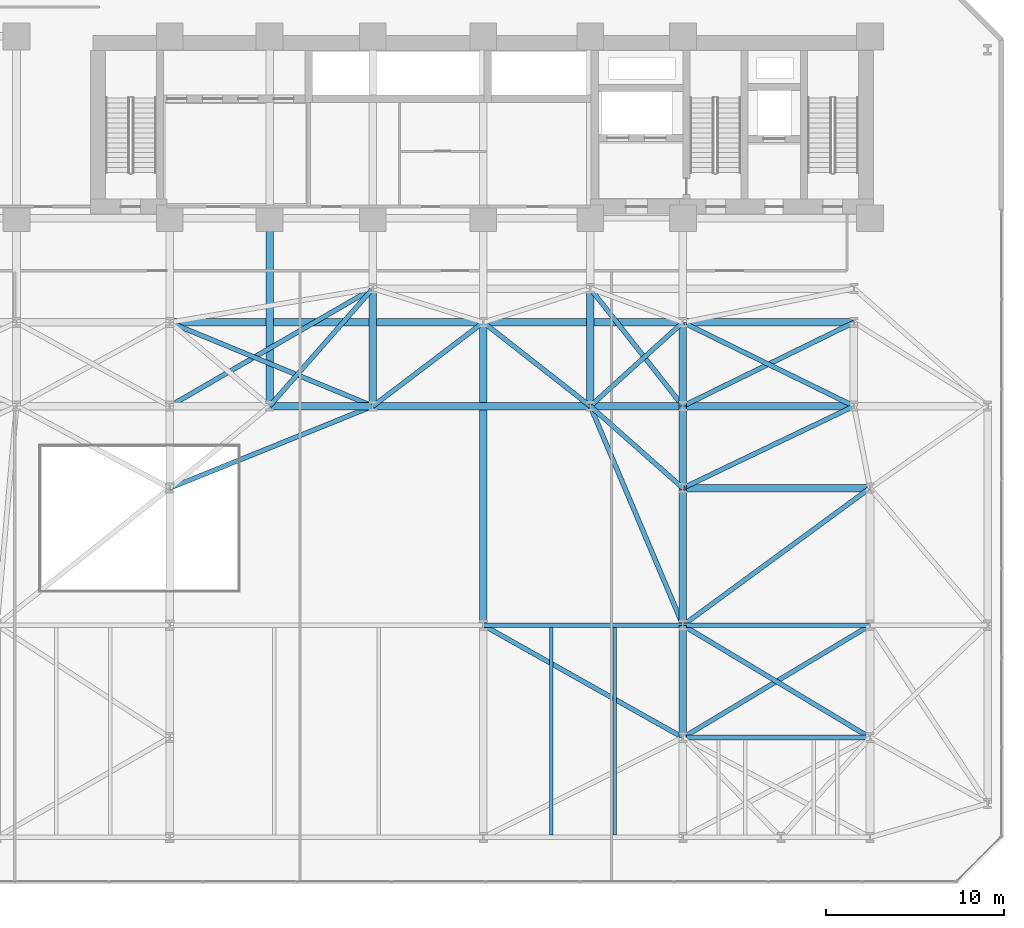
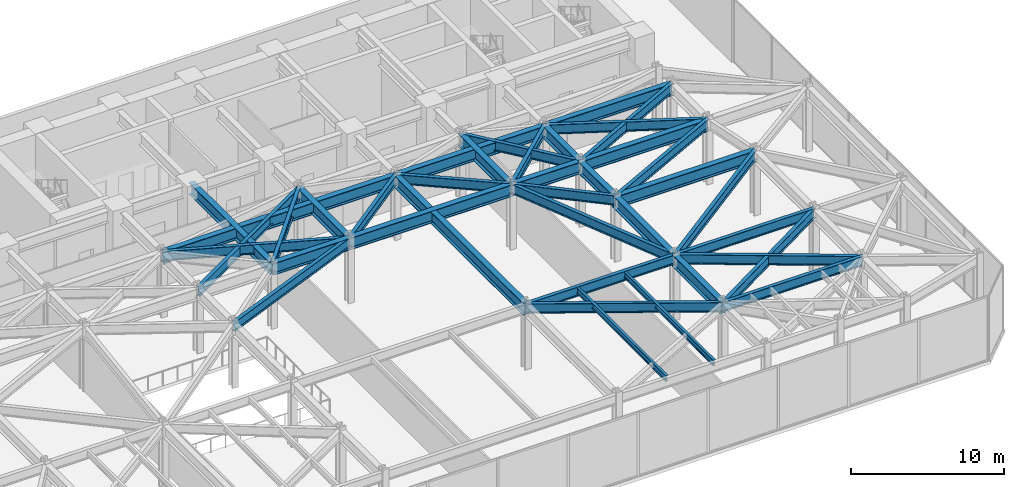
# One storey, part 18 of 29: 38 beams.
"""IFC4 building model written with IfcOpenShell, lengths in metres."""

from ifc_helpers import new_model, si_unit, direction, frame, origin, origin_2d, place, context, subcontext, project, spatial, i_section, extrude, material, material_profile, profile_set, type_object, element, save


model = new_model("IFC4")

# Units and contexts
model_context = context("Model", 3, precision=1e-05, world=origin(), true_north=direction((0.0, 1.0)))
body_context = subcontext(model_context, "Body", "Model", "MODEL_VIEW")
ifc_project = project(units=[si_unit("LENGTHUNIT", "METRE"), si_unit("AREAUNIT", "SQUARE_METRE"), si_unit("VOLUMEUNIT", "CUBIC_METRE"), si_unit("PLANEANGLEUNIT", "RADIAN"), si_unit("MASSUNIT", "GRAM", prefix="KILO")], contexts=[model_context])

# Site, building, storey
site_placement = place(None, origin())
site = spatial("IfcSite", under=ifc_project, at=site_placement, CompositionType="ELEMENT")
building_placement = place(site_placement, origin())
building = spatial("IfcBuilding", under=site, at=building_placement, Name="Kravanh Interchange Tower", CompositionType="ELEMENT")
storey_placement = place(building_placement, frame((0.0, 0.0, 5.39990234375)))
storey = spatial("IfcBuildingStorey", under=building, at=storey_placement, Name="L01", CompositionType="ELEMENT", Elevation=5.39990234375)

# Beams
ifc_material_1 = material(Name="Structural Steel S450", Category="steel")
ifc_material_profile_1 = material_profile(ifc_material_1, i_section(OverallWidth=0.423095703125, OverallDepth=0.947998046875, WebThickness=0.02392578125, FlangeThickness=0.042724609375, FilletRadius=0.028076171875, at=origin_2d()), Name="W36X302")
ifc_profile_set_1 = profile_set([ifc_material_profile_1], Name="Structural Steel S450")
beam_type_1 = type_object("IfcBeamType", Name="Floor Beam W36X302 Structural Steel S450", PredefinedType="BEAM", material=ifc_profile_set_1)
beam_1_placement = place(storey_placement, frame((56.0, 8.199951171875, 4.656005859375), z_axis=(0.0, 1.0, 0.0), x_axis=(-1.0, 0.0, 0.0)))
element("IfcBeam", 1, at=beam_1_placement, inside=storey, type_object=beam_type_1, Name="L01 Primary Floor Girder 29", PredefinedType="BEAM", context=body_context, shape_type="SweptSolid", body=[
    extrude(i_section(OverallWidth=0.423095703125, OverallDepth=0.947998046875, WebThickness=0.02392578125, FlangeThickness=0.042724609375, FilletRadius=0.028076171875, at=origin_2d()), origin(), (0.0, 0.0, 1.0), 6.300048828125),
])
beam_2_placement = place(storey_placement, frame((44.800048828125, 14.5, 4.656005859375), z_axis=(0.0, 1.0, 0.0), x_axis=(-1.0, 0.0, 0.0)))
element("IfcBeam", 2, at=beam_2_placement, inside=storey, type_object=beam_type_1, Name="L01 Primary Floor Girder 48", PredefinedType="BEAM", context=body_context, shape_type="SweptSolid", body=[
    extrude(i_section(OverallWidth=0.423095703125, OverallDepth=0.947998046875, WebThickness=0.02392578125, FlangeThickness=0.042724609375, FilletRadius=0.028076171875, at=origin_2d()), origin(), (0.0, 0.0, 1.0), 17.0),
])
beam_3_placement = place(storey_placement, frame((56.0, 14.5, 4.656005859375), z_axis=(0.0, 1.0, 0.0), x_axis=(-1.0, 0.0, 0.0)))
element("IfcBeam", 3, at=beam_3_placement, inside=storey, type_object=beam_type_1, Name="L01 Primary Floor Girder 49", PredefinedType="BEAM", context=body_context, shape_type="SweptSolid", body=[
    extrude(i_section(OverallWidth=0.423095703125, OverallDepth=0.947998046875, WebThickness=0.02392578125, FlangeThickness=0.042724609375, FilletRadius=0.028076171875, at=origin_2d()), origin(), (0.0, 0.0, 1.0), 7.699951171875),
])
beam_4_placement = place(storey_placement, frame((56.0, 22.199951171875, 4.656005859375), z_axis=(0.0, 1.0, 0.0), x_axis=(-1.0, 0.0, 0.0)))
element("IfcBeam", 4, at=beam_4_placement, inside=storey, type_object=beam_type_1, Name="L01 Primary Floor Girder 65", PredefinedType="BEAM", context=body_context, shape_type="SweptSolid", body=[
    extrude(i_section(OverallWidth=0.423095703125, OverallDepth=0.947998046875, WebThickness=0.02392578125, FlangeThickness=0.042724609375, FilletRadius=0.028076171875, at=origin_2d()), origin(), (0.0, 0.0, 1.0), 4.60009765625),
])
beam_5_placement = place(storey_placement, frame((56.0, 22.199951171875, 4.656005859375), z_axis=(1.0, 0.0, 0.0), x_axis=(0.0, 1.0, 0.0)))
element("IfcBeam", 5, at=beam_5_placement, inside=storey, type_object=beam_type_1, Name="L01 Primary Floor Girder 67", PredefinedType="BEAM", context=body_context, shape_type="SweptSolid", body=[
    extrude(i_section(OverallWidth=0.423095703125, OverallDepth=0.947998046875, WebThickness=0.02392578125, FlangeThickness=0.042724609375, FilletRadius=0.028076171875, at=origin_2d()), origin(), (0.0, 0.0, 1.0), 10.5),
])
beam_6_placement = place(storey_placement, frame((32.800048828125, 26.800048828125, 4.656005859375), z_axis=(1.0, 0.0, 0.0), x_axis=(0.0, 1.0, 0.0)))
element("IfcBeam", 6, at=beam_6_placement, inside=storey, type_object=beam_type_1, Name="L01 Primary Floor Girder 85", PredefinedType="BEAM", context=body_context, shape_type="SweptSolid", body=[
    extrude(i_section(OverallWidth=0.423095703125, OverallDepth=0.947998046875, WebThickness=0.02392578125, FlangeThickness=0.042724609375, FilletRadius=0.028076171875, at=origin_2d()), origin(), (0.0, 0.0, 1.0), 5.800048828125),
])
beam_7_placement = place(storey_placement, frame((32.800048828125, 26.800048828125, 4.656005859375), z_axis=(0.0, 1.0, 0.0), x_axis=(-1.0, 0.0, 0.0)))
element("IfcBeam", 7, at=beam_7_placement, inside=storey, type_object=beam_type_1, Name="L01 Primary Floor Girder 88", PredefinedType="BEAM", context=body_context, shape_type="SweptSolid", body=[
    extrude(i_section(OverallWidth=0.423095703125, OverallDepth=0.947998046875, WebThickness=0.02392578125, FlangeThickness=0.042724609375, FilletRadius=0.028076171875, at=origin_2d()), origin(), (0.0, 0.0, 1.0), 10.550048828125),
])
beam_8_placement = place(storey_placement, frame((38.60009765625, 26.800048828125, 4.656005859375), z_axis=(0.0, 1.0, 0.0), x_axis=(-1.0, 0.0, 0.0)))
element("IfcBeam", 8, at=beam_8_placement, inside=storey, type_object=beam_type_1, Name="L01 Primary Floor Girder 89", PredefinedType="BEAM", context=body_context, shape_type="SweptSolid", body=[
    extrude(i_section(OverallWidth=0.423095703125, OverallDepth=0.947998046875, WebThickness=0.02392578125, FlangeThickness=0.042724609375, FilletRadius=0.028076171875, at=origin_2d()), origin(), (0.0, 0.0, 1.0), 6.599853515625),
])
beam_9_placement = place(storey_placement, frame((38.60009765625, 26.800048828125, 4.656005859375), z_axis=(1.0, 0.0, 0.0), x_axis=(0.0, 1.0, 0.0)))
element("IfcBeam", 9, at=beam_9_placement, inside=storey, type_object=beam_type_1, Name="L01 Primary Floor Girder 91", PredefinedType="BEAM", context=body_context, shape_type="SweptSolid", body=[
    extrude(i_section(OverallWidth=0.423095703125, OverallDepth=0.947998046875, WebThickness=0.02392578125, FlangeThickness=0.042724609375, FilletRadius=0.028076171875, at=origin_2d()), origin(), (0.0, 0.0, 1.0), 12.199951171875),
])
beam_10_placement = place(storey_placement, frame((50.800048828125, 26.800048828125, 4.656005859375), z_axis=(1.0, 0.0, 0.0), x_axis=(0.0, 1.0, 0.0)))
element("IfcBeam", 10, at=beam_10_placement, inside=storey, type_object=beam_type_1, Name="L01 Primary Floor Girder 93", PredefinedType="BEAM", context=body_context, shape_type="SweptSolid", body=[
    extrude(i_section(OverallWidth=0.423095703125, OverallDepth=0.947998046875, WebThickness=0.02392578125, FlangeThickness=0.042724609375, FilletRadius=0.028076171875, at=origin_2d()), origin(), (0.0, 0.0, 1.0), 5.199951171875),
])
beam_11_placement = place(storey_placement, frame((50.800048828125, 26.800048828125, 4.656005859375), z_axis=(0.0, 1.0, 0.0), x_axis=(-1.0, 0.0, 0.0)))
element("IfcBeam", 11, at=beam_11_placement, inside=storey, type_object=beam_type_1, Name="L01 Primary Floor Girder 94", PredefinedType="BEAM", context=body_context, shape_type="SweptSolid", body=[
    extrude(i_section(OverallWidth=0.423095703125, OverallDepth=0.947998046875, WebThickness=0.02392578125, FlangeThickness=0.042724609375, FilletRadius=0.028076171875, at=origin_2d()), origin(), (0.0, 0.0, 1.0), 6.599853515625),
])
beam_12_placement = place(storey_placement, frame((56.0, 26.800048828125, 4.656005859375), z_axis=(0.0, 1.0, 0.0), x_axis=(-1.0, 0.0, 0.0)))
element("IfcBeam", 12, at=beam_12_placement, inside=storey, type_object=beam_type_1, Name="L01 Primary Floor Girder 97", PredefinedType="BEAM", context=body_context, shape_type="SweptSolid", body=[
    extrude(i_section(OverallWidth=0.423095703125, OverallDepth=0.947998046875, WebThickness=0.02392578125, FlangeThickness=0.042724609375, FilletRadius=0.028076171875, at=origin_2d()), origin(), (0.0, 0.0, 1.0), 4.699951171875),
])
beam_13_placement = place(storey_placement, frame((56.0, 26.800048828125, 4.656005859375), z_axis=(1.0, 0.0, 0.0), x_axis=(0.0, 1.0, 0.0)))
element("IfcBeam", 13, at=beam_13_placement, inside=storey, type_object=beam_type_1, Name="L01 Primary Floor Girder 99", PredefinedType="BEAM", context=body_context, shape_type="SweptSolid", body=[
    extrude(i_section(OverallWidth=0.423095703125, OverallDepth=0.947998046875, WebThickness=0.02392578125, FlangeThickness=0.042724609375, FilletRadius=0.028076171875, at=origin_2d()), origin(), (0.0, 0.0, 1.0), 9.60009765625),
])
beam_14_placement = place(storey_placement, frame((27.199951171875, 31.5, 4.656005859375), z_axis=(1.0, 0.0, 0.0), x_axis=(0.0, 1.0, 0.0)))
element("IfcBeam", 14, at=beam_14_placement, inside=storey, type_object=beam_type_1, Name="L01 Primary Floor Girder 112", PredefinedType="BEAM", context=body_context, shape_type="SweptSolid", body=[
    extrude(i_section(OverallWidth=0.423095703125, OverallDepth=0.947998046875, WebThickness=0.02392578125, FlangeThickness=0.042724609375, FilletRadius=0.028076171875, at=origin_2d()), origin(), (0.0, 0.0, 1.0), 17.60009765625),
])
beam_15_placement = place(storey_placement, frame((44.800048828125, 31.5, 4.656005859375), z_axis=(1.0, 0.0, 0.0), x_axis=(0.0, 1.0, 0.0)))
element("IfcBeam", 15, at=beam_15_placement, inside=storey, type_object=beam_type_1, Name="L01 Primary Floor Girder 116", PredefinedType="BEAM", context=body_context, shape_type="SweptSolid", body=[
    extrude(i_section(OverallWidth=0.423095703125, OverallDepth=0.947998046875, WebThickness=0.02392578125, FlangeThickness=0.042724609375, FilletRadius=0.028076171875, at=origin_2d()), origin(), (0.0, 0.0, 1.0), 11.199951171875),
])
beam_16_placement = place(storey_placement, frame((56.0, 31.5, 4.656005859375), z_axis=(1.0, 0.0, 0.0), x_axis=(0.0, 1.0, 0.0)))
element("IfcBeam", 16, at=beam_16_placement, inside=storey, type_object=beam_type_1, Name="L01 Primary Floor Girder 119", PredefinedType="BEAM", context=body_context, shape_type="SweptSolid", body=[
    extrude(i_section(OverallWidth=0.423095703125, OverallDepth=0.947998046875, WebThickness=0.02392578125, FlangeThickness=0.042724609375, FilletRadius=0.028076171875, at=origin_2d()), origin(), (0.0, 0.0, 1.0), 9.60009765625),
])
ifc_material_2 = material(Name="Structural Steel S355", Category="steel")
ifc_material_profile_2 = material_profile(ifc_material_2, i_section(OverallWidth=0.18994140625, OverallDepth=0.45703125, WebThickness=0.009033203125, FlangeThickness=0.014404296875, FilletRadius=0.01806640625, at=origin_2d()), Name="W18X50")
ifc_profile_set_2 = profile_set([ifc_material_profile_2], Name="Structural Steel S355")
beam_type_2 = type_object("IfcBeamType", Name="Floor Joist W18X50 Structural Steel S355", PredefinedType="JOIST", material=ifc_profile_set_2)
for number, where, z_axis, x_axis, name in (
    (17, (48.617919921875, 2.728515625, 4.901611328125), (0.0, 1.0, 0.0), (-1.0, 0.0, 0.0), "L01 Secondary Floor Joist 7"),
    (18, (52.181884765625, 2.728515625, 4.901611328125), (0.0, 1.0, 0.0), (-1.0, 0.0, 0.0), "L01 Secondary Floor Joist 8"),
):
    element("IfcBeam", number, at=place(storey_placement, frame(where, z_axis=z_axis, x_axis=x_axis)), inside=storey, type_object=beam_type_2, Name=name, PredefinedType="JOIST", context=body_context, shape_type="SweptSolid", body=[
        extrude(i_section(OverallWidth=0.18994140625, OverallDepth=0.45703125, WebThickness=0.009033203125, FlangeThickness=0.014404296875, FilletRadius=0.01806640625, at=origin_2d()), origin(), (0.0, 0.0, 1.0), 11.64306640625),
    ])
ifc_material_3 = material(Name="Structural Steel S355", Category="steel")
ifc_material_profile_3 = material_profile(ifc_material_3, i_section(OverallWidth=0.26708984375, OverallDepth=0.761962890625, WebThickness=0.014404296875, FlangeThickness=0.021484375, FilletRadius=0.02490234375, at=origin_2d()), Name="W30X116")
ifc_profile_set_3 = profile_set([ifc_material_profile_3], Name="Structural Steel S355")
beam_type_3 = type_object("IfcBeamType", Name="Floor Spandrel W30X116 Structural Steel S355", PredefinedType="SPANDREL", material=ifc_profile_set_3)
beam_17_placement = place(storey_placement, frame((56.0, 8.199951171875, 4.7490234375), z_axis=(1.0, 0.0, 0.0), x_axis=(0.0, 1.0, 0.0)))
element("IfcBeam", 19, at=beam_17_placement, inside=storey, type_object=beam_type_3, Name="L01 Perimeter Spandrel 30", PredefinedType="SPANDREL", context=body_context, shape_type="SweptSolid", body=[
    extrude(i_section(OverallWidth=0.26708984375, OverallDepth=0.761962890625, WebThickness=0.014404296875, FlangeThickness=0.021484375, FilletRadius=0.02490234375, at=origin_2d()), origin(), (0.0, 0.0, 1.0), 10.5),
])
beam_18_placement = place(storey_placement, frame((56.0, 8.199951171875, 4.7490234375), z_axis=(0.857491166477, 0.514498687475, 0.0), x_axis=(-0.514498687475, 0.857491166477, 0.0)))
element("IfcBeam", 20, at=beam_18_placement, inside=storey, type_object=beam_type_3, Name="L01 Perimeter Spandrel 31", PredefinedType="SPANDREL", context=body_context, shape_type="SweptSolid", body=[
    extrude(i_section(OverallWidth=0.26708984375, OverallDepth=0.761962890625, WebThickness=0.014404296875, FlangeThickness=0.021484375, FilletRadius=0.02490234375, at=origin_2d()), origin(), (0.0, 0.0, 1.0), 12.2451171875),
])
beam_19_placement = place(storey_placement, frame((56.0, 8.199951171875, 4.7490234375), z_axis=(-0.871573000172, 0.490265749743, 0.0), x_axis=(-0.490265749743, -0.871573000172, 0.0)))
element("IfcBeam", 21, at=beam_19_placement, inside=storey, type_object=beam_type_3, Name="L01 Perimeter Spandrel 32", PredefinedType="SPANDREL", context=body_context, shape_type="SweptSolid", body=[
    extrude(i_section(OverallWidth=0.26708984375, OverallDepth=0.761962890625, WebThickness=0.014404296875, FlangeThickness=0.021484375, FilletRadius=0.02490234375, at=origin_2d()), origin(), (0.0, 0.0, 1.0), 12.850341796875),
])
beam_20_placement = place(storey_placement, frame((66.5, 8.199951171875, 4.7490234375), z_axis=(-0.857491166477, 0.514498687475, 0.0), x_axis=(-0.514498687475, -0.857491166477, 0.0)))
element("IfcBeam", 22, at=beam_20_placement, inside=storey, type_object=beam_type_3, Name="L01 Perimeter Spandrel 36", PredefinedType="SPANDREL", context=body_context, shape_type="SweptSolid", body=[
    extrude(i_section(OverallWidth=0.26708984375, OverallDepth=0.761962890625, WebThickness=0.014404296875, FlangeThickness=0.021484375, FilletRadius=0.02490234375, at=origin_2d()), origin(), (0.0, 0.0, 1.0), 12.2451171875),
])
beam_21_placement = place(storey_placement, frame((44.800048828125, 14.5, 4.7490234375), z_axis=(1.0, 0.0, 0.0), x_axis=(0.0, 1.0, 0.0)))
element("IfcBeam", 23, at=beam_21_placement, inside=storey, type_object=beam_type_3, Name="L01 Perimeter Spandrel 47", PredefinedType="SPANDREL", context=body_context, shape_type="SweptSolid", body=[
    extrude(i_section(OverallWidth=0.26708984375, OverallDepth=0.761962890625, WebThickness=0.014404296875, FlangeThickness=0.021484375, FilletRadius=0.02490234375, at=origin_2d()), origin(), (0.0, 0.0, 1.0), 11.199951171875),
])
beam_22_placement = place(storey_placement, frame((56.0, 14.5, 4.7490234375), z_axis=(1.0, 0.0, 0.0), x_axis=(0.0, 1.0, 0.0)))
element("IfcBeam", 24, at=beam_22_placement, inside=storey, type_object=beam_type_3, Name="L01 Perimeter Spandrel 50", PredefinedType="SPANDREL", context=body_context, shape_type="SweptSolid", body=[
    extrude(i_section(OverallWidth=0.26708984375, OverallDepth=0.761962890625, WebThickness=0.014404296875, FlangeThickness=0.021484375, FilletRadius=0.02490234375, at=origin_2d()), origin(), (0.0, 0.0, 1.0), 10.5),
])
beam_23_placement = place(storey_placement, frame((56.0, 14.5, 4.7490234375), z_axis=(0.806406784162, 0.59136122502, 0.0), x_axis=(-0.59136122502, 0.806406784162, 0.0)))
element("IfcBeam", 25, at=beam_23_placement, inside=storey, type_object=beam_type_3, Name="L01 Perimeter Spandrel 51", PredefinedType="SPANDREL", context=body_context, shape_type="SweptSolid", body=[
    extrude(i_section(OverallWidth=0.26708984375, OverallDepth=0.761962890625, WebThickness=0.014404296875, FlangeThickness=0.021484375, FilletRadius=0.02490234375, at=origin_2d()), origin(), (0.0, 0.0, 1.0), 13.020751953125),
])
beam_24_placement = place(storey_placement, frame((56.0, 14.5, 4.7490234375), z_axis=(-0.389391275313, 0.921072437276, 0.0), x_axis=(-0.921072437276, -0.389391275313, 0.0)))
element("IfcBeam", 26, at=beam_24_placement, inside=storey, type_object=beam_type_3, Name="L01 Perimeter Spandrel 52", PredefinedType="SPANDREL", context=body_context, shape_type="SweptSolid", body=[
    extrude(i_section(OverallWidth=0.26708984375, OverallDepth=0.761962890625, WebThickness=0.014404296875, FlangeThickness=0.021484375, FilletRadius=0.02490234375, at=origin_2d()), origin(), (0.0, 0.0, 1.0), 13.35400390625),
])
beam_25_placement = place(storey_placement, frame((27.199951171875, 22.199951171875, 4.7490234375), z_axis=(0.927349344428, 0.374196730864, 0.0), x_axis=(-0.374196730864, 0.927349344428, 0.0)))
element("IfcBeam", 27, at=beam_25_placement, inside=storey, type_object=beam_type_3, Name="L01 Perimeter Spandrel 64", PredefinedType="SPANDREL", context=body_context, shape_type="SweptSolid", body=[
    extrude(i_section(OverallWidth=0.26708984375, OverallDepth=0.761962890625, WebThickness=0.014404296875, FlangeThickness=0.021484375, FilletRadius=0.02490234375, at=origin_2d()), origin(), (0.0, 0.0, 1.0), 12.293212890625),
])
beam_26_placement = place(storey_placement, frame((56.0, 22.199951171875, 4.7490234375), z_axis=(-0.74898649432, 0.662585263439, 0.0), x_axis=(-0.662585263439, -0.74898649432, 0.0)))
element("IfcBeam", 28, at=beam_26_placement, inside=storey, type_object=beam_type_3, Name="L01 Perimeter Spandrel 66", PredefinedType="SPANDREL", context=body_context, shape_type="SweptSolid", body=[
    extrude(i_section(OverallWidth=0.26708984375, OverallDepth=0.761962890625, WebThickness=0.014404296875, FlangeThickness=0.021484375, FilletRadius=0.02490234375, at=origin_2d()), origin(), (0.0, 0.0, 1.0), 6.942626953125),
])
beam_27_placement = place(storey_placement, frame((56.0, 22.199951171875, 4.7490234375), z_axis=(0.901814166789, 0.432124066188, 0.0), x_axis=(-0.432124066188, 0.901814166789, 0.0)))
element("IfcBeam", 29, at=beam_27_placement, inside=storey, type_object=beam_type_3, Name="L01 Perimeter Spandrel 68", PredefinedType="SPANDREL", context=body_context, shape_type="SweptSolid", body=[
    extrude(i_section(OverallWidth=0.26708984375, OverallDepth=0.761962890625, WebThickness=0.014404296875, FlangeThickness=0.021484375, FilletRadius=0.02490234375, at=origin_2d()), origin(), (0.0, 0.0, 1.0), 10.645263671875),
])
beam_28_placement = place(storey_placement, frame((27.199951171875, 26.800048828125, 4.7490234375), z_axis=(0.865433898834, 0.501023119974, 0.0), x_axis=(-0.501023119974, 0.865433898834, 0.0)))
element("IfcBeam", 30, at=beam_28_placement, inside=storey, type_object=beam_type_3, Name="L01 Perimeter Spandrel 84", PredefinedType="SPANDREL", context=body_context, shape_type="SweptSolid", body=[
    extrude(i_section(OverallWidth=0.26708984375, OverallDepth=0.761962890625, WebThickness=0.014404296875, FlangeThickness=0.021484375, FilletRadius=0.02490234375, at=origin_2d()), origin(), (0.0, 0.0, 1.0), 13.1728515625),
])
beam_29_placement = place(storey_placement, frame((32.800048828125, 26.800048828125, 4.7490234375), z_axis=(0.660126010232, 0.751154877914, 0.0), x_axis=(-0.751154877914, 0.660126010232, 0.0)))
element("IfcBeam", 31, at=beam_29_placement, inside=storey, type_object=beam_type_3, Name="L01 Perimeter Spandrel 87", PredefinedType="SPANDREL", context=body_context, shape_type="SweptSolid", body=[
    extrude(i_section(OverallWidth=0.26708984375, OverallDepth=0.761962890625, WebThickness=0.014404296875, FlangeThickness=0.021484375, FilletRadius=0.02490234375, at=origin_2d()), origin(), (0.0, 0.0, 1.0), 8.786376953125),
])
beam_30_placement = place(storey_placement, frame((38.60009765625, 26.800048828125, 4.7490234375), z_axis=(0.796905365509, 0.604104161898, 0.0), x_axis=(-0.604104161898, 0.796905365509, 0.0)))
element("IfcBeam", 32, at=beam_30_placement, inside=storey, type_object=beam_type_3, Name="L01 Perimeter Spandrel 90", PredefinedType="SPANDREL", context=body_context, shape_type="SweptSolid", body=[
    extrude(i_section(OverallWidth=0.26708984375, OverallDepth=0.761962890625, WebThickness=0.014404296875, FlangeThickness=0.021484375, FilletRadius=0.02490234375, at=origin_2d()), origin(), (0.0, 0.0, 1.0), 7.780029296875),
])
beam_31_placement = place(storey_placement, frame((38.60009765625, 26.800048828125, 4.7490234375), z_axis=(-0.924513176562, 0.381150083778, 0.0), x_axis=(-0.381150083778, -0.924513176562, 0.0)))
element("IfcBeam", 33, at=beam_31_placement, inside=storey, type_object=beam_type_3, Name="L01 Perimeter Spandrel 92", PredefinedType="SPANDREL", context=body_context, shape_type="SweptSolid", body=[
    extrude(i_section(OverallWidth=0.26708984375, OverallDepth=0.761962890625, WebThickness=0.014404296875, FlangeThickness=0.021484375, FilletRadius=0.02490234375, at=origin_2d()), origin(), (0.0, 0.0, 1.0), 12.3310546875),
])
beam_32_placement = place(storey_placement, frame((50.800048828125, 26.800048828125, 4.7490234375), z_axis=(0.741874009795, 0.670539300557, 0.0), x_axis=(-0.670539300557, 0.741874009795, 0.0)))
element("IfcBeam", 34, at=beam_32_placement, inside=storey, type_object=beam_type_3, Name="L01 Perimeter Spandrel 95", PredefinedType="SPANDREL", context=body_context, shape_type="SweptSolid", body=[
    extrude(i_section(OverallWidth=0.26708984375, OverallDepth=0.761962890625, WebThickness=0.014404296875, FlangeThickness=0.021484375, FilletRadius=0.02490234375, at=origin_2d()), origin(), (0.0, 0.0, 1.0), 7.00927734375),
])
beam_33_placement = place(storey_placement, frame((50.800048828125, 26.800048828125, 4.7490234375), z_axis=(-0.787231163579, 0.616658004967, 0.0), x_axis=(-0.616658004967, -0.787231163579, 0.0)))
element("IfcBeam", 35, at=beam_33_placement, inside=storey, type_object=beam_type_3, Name="L01 Perimeter Spandrel 96", PredefinedType="SPANDREL", context=body_context, shape_type="SweptSolid", body=[
    extrude(i_section(OverallWidth=0.26708984375, OverallDepth=0.761962890625, WebThickness=0.014404296875, FlangeThickness=0.021484375, FilletRadius=0.02490234375, at=origin_2d()), origin(), (0.0, 0.0, 1.0), 7.62158203125),
])
beam_34_placement = place(storey_placement, frame((56.0, 26.800048828125, 4.7490234375), z_axis=(-0.618877116007, 0.785487819946, 0.0), x_axis=(-0.785487819946, -0.618877116007, 0.0)))
element("IfcBeam", 36, at=beam_34_placement, inside=storey, type_object=beam_type_3, Name="L01 Perimeter Spandrel 98", PredefinedType="SPANDREL", context=body_context, shape_type="SweptSolid", body=[
    extrude(i_section(OverallWidth=0.26708984375, OverallDepth=0.761962890625, WebThickness=0.014404296875, FlangeThickness=0.021484375, FilletRadius=0.02490234375, at=origin_2d()), origin(), (0.0, 0.0, 1.0), 8.40234375),
])
for number, where, z_axis, x_axis, name in (
    (37, (56.0, 26.800048828125, 4.7490234375), (0.898141688387, 0.439706160499, 0.0), (-0.439706160499, 0.898141688387, 0.0), "L01 Perimeter Spandrel 100"),
    (38, (65.60009765625, 26.800048828125, 4.7490234375), (-0.898141688387, 0.439706160499, 0.0), (-0.439706160499, -0.898141688387, 0.0), "L01 Perimeter Spandrel 103"),
):
    element("IfcBeam", number, at=place(storey_placement, frame(where, z_axis=z_axis, x_axis=x_axis)), inside=storey, type_object=beam_type_3, Name=name, PredefinedType="SPANDREL", context=body_context, shape_type="SweptSolid", body=[
        extrude(i_section(OverallWidth=0.26708984375, OverallDepth=0.761962890625, WebThickness=0.014404296875, FlangeThickness=0.021484375, FilletRadius=0.02490234375, at=origin_2d()), origin(), (0.0, 0.0, 1.0), 10.68896484375),
    ])

save(model, "model.ifc")
